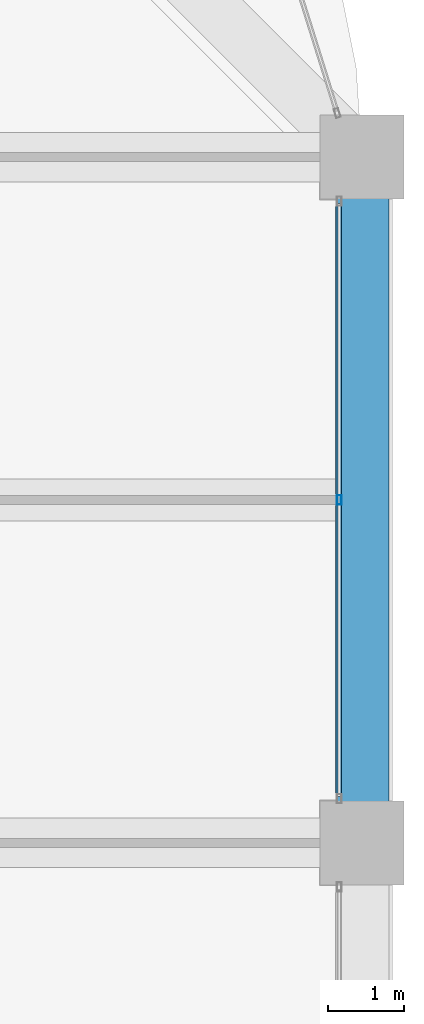
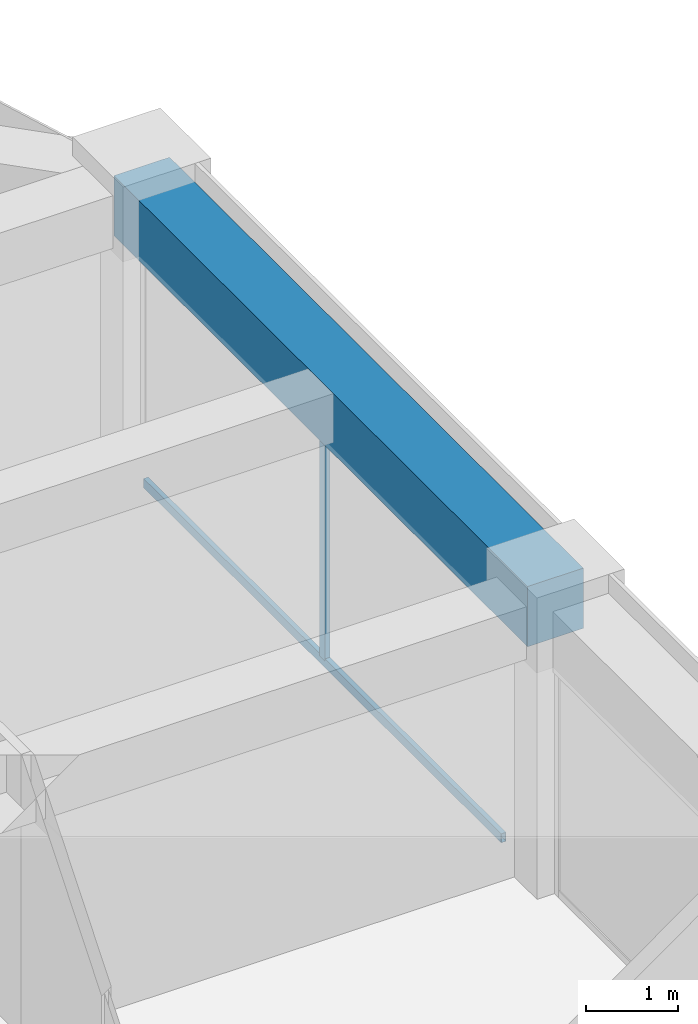
# One storey, part 27 of 45: 2 members, 1 beam, 1 element without a shape of its own.
"""IFC4 building model written with IfcOpenShell, lengths in metres."""

from ifc_helpers import new_model, si_unit, direction, frame, origin, origin_2d, place, context, subcontext, project, spatial, rectangle, hollow_rectangle, extrude, material, material_profile, profile_set, type_object, element, aggregate, save


model = new_model("IFC4")

# Units and contexts
model_context = context("Model", 3, precision=1e-05, world=origin(), true_north=direction((0.0, 1.0)))
body_context = subcontext(model_context, "Body", "Model", "MODEL_VIEW")
ifc_project = project(units=[si_unit("LENGTHUNIT", "METRE"), si_unit("AREAUNIT", "SQUARE_METRE"), si_unit("VOLUMEUNIT", "CUBIC_METRE"), si_unit("PLANEANGLEUNIT", "RADIAN"), si_unit("MASSUNIT", "GRAM", prefix="KILO")], contexts=[model_context])

# Site, building, storey
site_placement = place(None, origin())
site = spatial("IfcSite", under=ifc_project, at=site_placement, CompositionType="ELEMENT")
building_placement = place(site_placement, origin())
building = spatial("IfcBuilding", under=site, at=building_placement, Name="Zorevar Civic Tower", CompositionType="ELEMENT")
storey_placement = place(building_placement, frame((0.0, 0.0, 291.39990234375)))
storey = spatial("IfcBuildingStorey", under=building, at=storey_placement, Name="L71", CompositionType="ELEMENT", Elevation=291.39990234375)

# Curtain wall, members
ifc_material_1 = material(Name="Dark grey solar-control glass in black aluminium frame", Category="aluminium")
curtain_wall_type = type_object("IfcCurtainWallType", Name="Curtain wall CW5 top zone", PredefinedType="NOTDEFINED", material=ifc_material_1)
curtain_wall_placement = place(storey_placement, origin())
curtain_wall = element("IfcCurtainWall", 1, at=curtain_wall_placement, inside=storey, type_object=curtain_wall_type, Name="CW5 L71", PredefinedType="NOTDEFINED")
ifc_material_2 = material(Name="Aluminium, black anodised", Category="aluminium")
ifc_material_profile_1 = material_profile(ifc_material_2, hollow_rectangle(XDim=0.06005859375, YDim=0.1201171875, WallThickness=0.0029296875, at=origin_2d()), Name="AL 120x60x3")
ifc_profile_set_1 = profile_set([ifc_material_profile_1], Name="Aluminium, black anodised")
member_type_1 = type_object("IfcMemberType", Name="CW5 mullion AL 120x60x3", PredefinedType="MULLION", material=ifc_profile_set_1)
member_1_placement = place(storey_placement, frame((53.699951171875, 31.5, 0.06005859375), z_axis=(0.0, 0.0, 1.0), x_axis=(-1.0, 0.0, 0.0)))
member_1 = element("IfcMember", 2, at=member_1_placement, type_object=member_type_1, Name="CW5 mullion 2", PredefinedType="MULLION", context=body_context, shape_type="SweptSolid", body=[
    extrude(hollow_rectangle(XDim=0.06005859375, YDim=0.1201171875, WallThickness=0.0029296875, at=origin_2d()), origin(), (0.0, 0.0, 1.0), 2.89013671875),
])
ifc_material_3 = material(Name="Aluminium, black anodised", Category="aluminium")
ifc_material_profile_2 = material_profile(ifc_material_3, hollow_rectangle(XDim=0.06005859375, YDim=0.1201171875, WallThickness=0.0029296875, at=origin_2d()), Name="AL 120x60x3")
ifc_profile_set_2 = profile_set([ifc_material_profile_2], Name="Aluminium, black anodised")
member_type_2 = type_object("IfcMemberType", Name="CW5 transom AL 120x60x3", PredefinedType="USERDEFINED", material=ifc_profile_set_2)
member_2_placement = place(storey_placement, frame((53.699951171875, 27.610107421875, 0.030029296875), z_axis=(0.0, 1.0, 0.0), x_axis=(-1.0, 0.0, 0.0)))
member_2 = element("IfcMember", 3, at=member_2_placement, type_object=member_type_2, Name="CW5 sill transom", ObjectType="TRANSOM", PredefinedType="USERDEFINED", context=body_context, shape_type="SweptSolid", body=[
    extrude(hollow_rectangle(XDim=0.06005859375, YDim=0.1201171875, WallThickness=0.0029296875, at=origin_2d()), origin(), (0.0, 0.0, 1.0), 7.77978515625),
])
aggregate(curtain_wall, [member_1, member_2])

# Beam
ifc_material_4 = material(Name="Concrete C50/60", Category="concrete")
ifc_material_profile_3 = material_profile(ifc_material_4, rectangle(XDim=0.699951171875, YDim=0.800048828125, at=origin_2d()), Name="RC 700x800")
ifc_profile_set_3 = profile_set([ifc_material_profile_3], Name="Concrete C50/60")
beam_type = type_object("IfcBeamType", Name="Edge beam RC 700x800", PredefinedType="SPANDREL", material=ifc_profile_set_3)
beam_placement = place(storey_placement, frame((54.0, 27.0, 3.35009765625), z_axis=(0.0, 1.0, 0.0), x_axis=(-1.0, 0.0, 0.0)))
element("IfcBeam", 4, at=beam_placement, inside=storey, type_object=beam_type, Name="Edge beam L72", PredefinedType="SPANDREL", context=body_context, shape_type="SweptSolid", body=[
    extrude(rectangle(XDim=0.699951171875, YDim=0.800048828125, at=origin_2d()), origin(), (0.0, 0.0, 1.0), 9.0),
])

save(model, "model.ifc")
